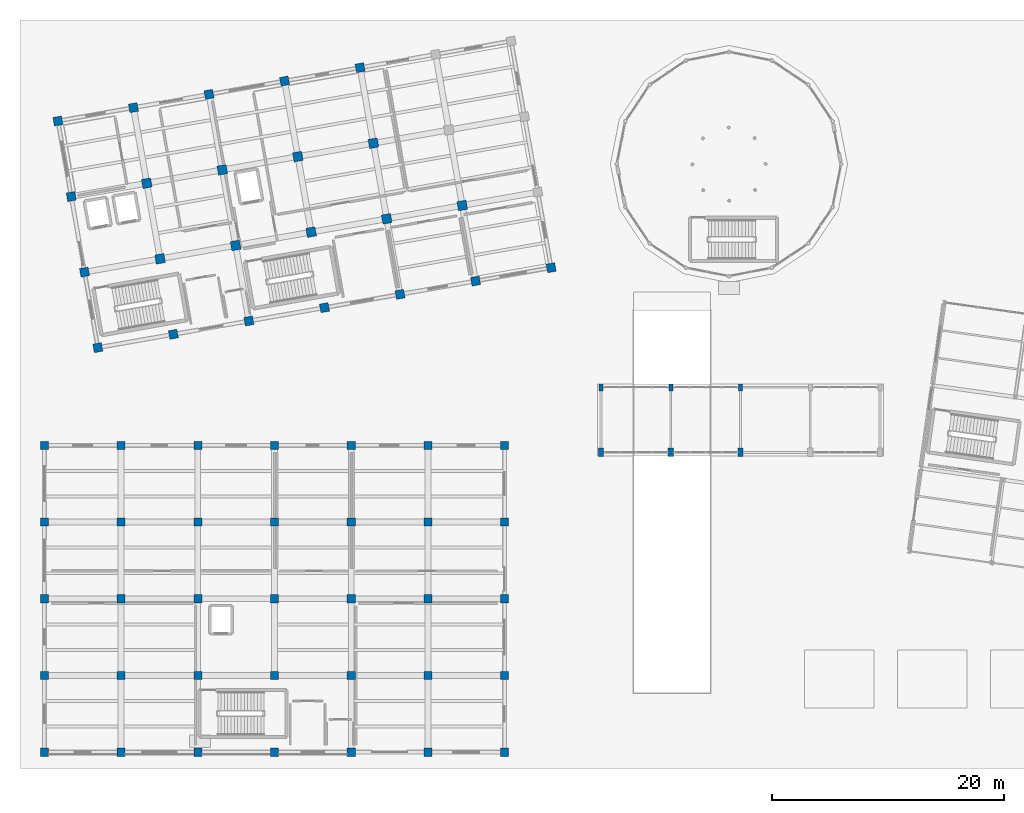
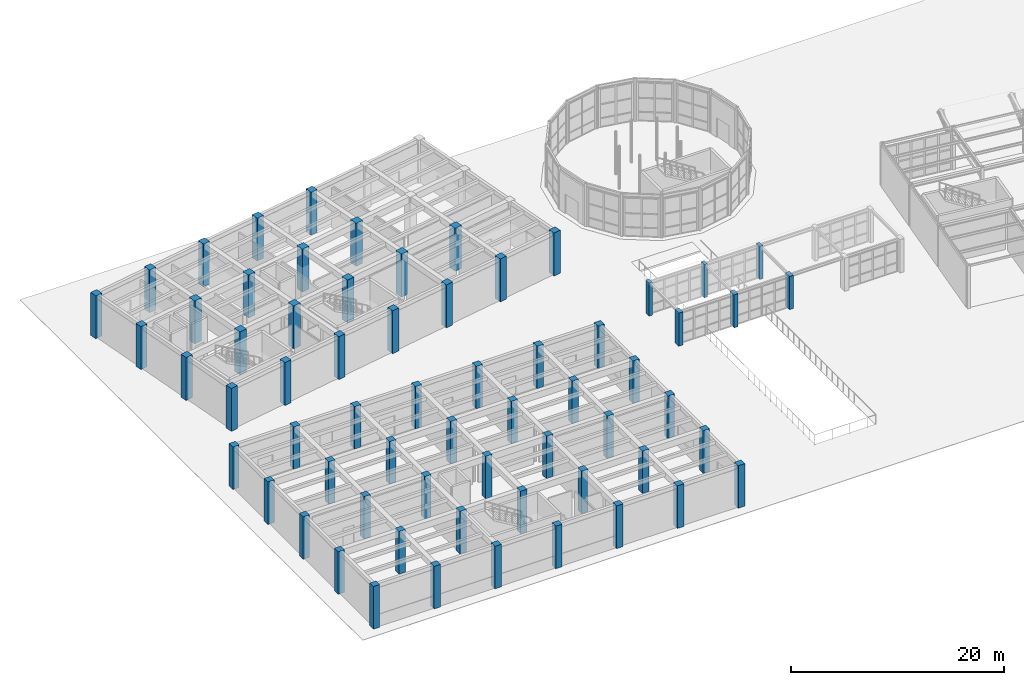
# One storey, part 1 of 57: 64 columns.
"""IFC4 building model written with IfcOpenShell, lengths in metres."""

from ifc_helpers import new_model, si_unit, direction, frame, origin, origin_2d, place, context, subcontext, project, spatial, rectangle, extrude, material, material_profile, profile_set, type_object, element, save


model = new_model("IFC4")

# Units and contexts
model_context = context("Model", 3, precision=1e-05, world=origin(), true_north=direction((0.0, 1.0)))
body_context = subcontext(model_context, "Body", "Model", "MODEL_VIEW")
ifc_project = project(units=[si_unit("LENGTHUNIT", "METRE"), si_unit("AREAUNIT", "SQUARE_METRE"), si_unit("VOLUMEUNIT", "CUBIC_METRE"), si_unit("PLANEANGLEUNIT", "RADIAN"), si_unit("MASSUNIT", "GRAM", prefix="KILO")], contexts=[model_context])

# Site, building, storey
site_placement = place(None, origin())
site = spatial("IfcSite", under=ifc_project, at=site_placement, CompositionType="ELEMENT")
building_placement = place(site_placement, origin())
building = spatial("IfcBuilding", under=site, at=building_placement, Name="Kharisveld Research Institute", CompositionType="ELEMENT")
storey_placement = place(building_placement, origin())
storey = spatial("IfcBuildingStorey", under=building, at=storey_placement, Name="L00", CompositionType="ELEMENT", Elevation=0.0)

# Columns
ifc_material_1 = material(Name="Concrete C40/50", Category="concrete")
ifc_material_profile_1 = material_profile(ifc_material_1, rectangle(XDim=0.699951171875, YDim=0.699951171875, at=origin_2d()))
ifc_profile_set_1 = profile_set([ifc_material_profile_1], Name="Concrete C40/50")
column_type_1 = type_object("IfcColumnType", Name="COL_RC_700", PredefinedType="COLUMN", material=ifc_profile_set_1)
for number, where, z_axis, x_axis, name in (
    (1, (0.60009765625, 0.199951171875, 0.0), (0.0, 0.0, 1.0), (1.0, 0.0, 0.0), "COL:V3:L00:U0V0"),
    (2, (0.60009765625, 6.800048828125, 0.0), (0.0, 0.0, 1.0), (1.0, 0.0, 0.0), "COL:V3:L00:U0V1"),
    (3, (0.60009765625, 13.39990234375, 0.0), (0.0, 0.0, 1.0), (1.0, 0.0, 0.0), "COL:V3:L00:U0V2"),
    (4, (0.60009765625, 20.0, 0.0), (0.0, 0.0, 1.0), (1.0, 0.0, 0.0), "COL:V3:L00:U0V3"),
    (5, (0.60009765625, 26.60009765625, 0.0), (0.0, 0.0, 1.0), (1.0, 0.0, 0.0), "COL:V3:L00:U0V4"),
    (6, (7.199951171875, 0.199951171875, 0.0), (0.0, 0.0, 1.0), (1.0, 0.0, 0.0), "COL:V3:L00:U1V0"),
    (7, (7.199951171875, 6.800048828125, 0.0), (0.0, 0.0, 1.0), (1.0, 0.0, 0.0), "COL:V3:L00:U1V1"),
    (8, (7.199951171875, 13.39990234375, 0.0), (0.0, 0.0, 1.0), (1.0, 0.0, 0.0), "COL:V3:L00:U1V2"),
    (9, (7.199951171875, 20.0, 0.0), (0.0, 0.0, 1.0), (1.0, 0.0, 0.0), "COL:V3:L00:U1V3"),
    (10, (7.199951171875, 26.60009765625, 0.0), (0.0, 0.0, 1.0), (1.0, 0.0, 0.0), "COL:V3:L00:U1V4"),
    (11, (13.800048828125, 0.199951171875, 0.0), (0.0, 0.0, 1.0), (1.0, 0.0, 0.0), "COL:V3:L00:U2V0"),
    (12, (13.800048828125, 6.800048828125, 0.0), (0.0, 0.0, 1.0), (1.0, 0.0, 0.0), "COL:V3:L00:U2V1"),
    (13, (13.800048828125, 13.39990234375, 0.0), (0.0, 0.0, 1.0), (1.0, 0.0, 0.0), "COL:V3:L00:U2V2"),
    (14, (13.800048828125, 20.0, 0.0), (0.0, 0.0, 1.0), (1.0, 0.0, 0.0), "COL:V3:L00:U2V3"),
    (15, (13.800048828125, 26.60009765625, 0.0), (0.0, 0.0, 1.0), (1.0, 0.0, 0.0), "COL:V3:L00:U2V4"),
    (16, (20.39990234375, 0.199951171875, 0.0), (0.0, 0.0, 1.0), (1.0, 0.0, 0.0), "COL:V3:L00:U3V0"),
    (17, (20.39990234375, 6.800048828125, 0.0), (0.0, 0.0, 1.0), (1.0, 0.0, 0.0), "COL:V3:L00:U3V1"),
    (18, (20.39990234375, 13.39990234375, 0.0), (0.0, 0.0, 1.0), (1.0, 0.0, 0.0), "COL:V3:L00:U3V2"),
    (19, (20.39990234375, 20.0, 0.0), (0.0, 0.0, 1.0), (1.0, 0.0, 0.0), "COL:V3:L00:U3V3"),
    (20, (20.39990234375, 26.60009765625, 0.0), (0.0, 0.0, 1.0), (1.0, 0.0, 0.0), "COL:V3:L00:U3V4"),
    (21, (27.0, 0.199951171875, 0.0), (0.0, 0.0, 1.0), (1.0, 0.0, 0.0), "COL:V3:L00:U4V0"),
    (22, (27.0, 6.800048828125, 0.0), (0.0, 0.0, 1.0), (1.0, 0.0, 0.0), "COL:V3:L00:U4V1"),
    (23, (27.0, 13.39990234375, 0.0), (0.0, 0.0, 1.0), (1.0, 0.0, 0.0), "COL:V3:L00:U4V2"),
    (24, (27.0, 20.0, 0.0), (0.0, 0.0, 1.0), (1.0, 0.0, 0.0), "COL:V3:L00:U4V3"),
    (25, (27.0, 26.60009765625, 0.0), (0.0, 0.0, 1.0), (1.0, 0.0, 0.0), "COL:V3:L00:U4V4"),
    (26, (33.60009765625, 0.199951171875, 0.0), (0.0, 0.0, 1.0), (1.0, 0.0, 0.0), "COL:V3:L00:U5V0"),
    (27, (33.60009765625, 6.800048828125, 0.0), (0.0, 0.0, 1.0), (1.0, 0.0, 0.0), "COL:V3:L00:U5V1"),
    (28, (33.60009765625, 13.39990234375, 0.0), (0.0, 0.0, 1.0), (1.0, 0.0, 0.0), "COL:V3:L00:U5V2"),
    (29, (33.60009765625, 20.0, 0.0), (0.0, 0.0, 1.0), (1.0, 0.0, 0.0), "COL:V3:L00:U5V3"),
    (30, (33.60009765625, 26.60009765625, 0.0), (0.0, 0.0, 1.0), (1.0, 0.0, 0.0), "COL:V3:L00:U5V4"),
    (31, (40.199951171875, 0.199951171875, 0.0), (0.0, 0.0, 1.0), (1.0, 0.0, 0.0), "COL:V3:L00:U6V0"),
    (32, (40.199951171875, 6.800048828125, 0.0), (0.0, 0.0, 1.0), (1.0, 0.0, 0.0), "COL:V3:L00:U6V1"),
    (33, (40.199951171875, 13.39990234375, 0.0), (0.0, 0.0, 1.0), (1.0, 0.0, 0.0), "COL:V3:L00:U6V2"),
    (34, (40.199951171875, 20.0, 0.0), (0.0, 0.0, 1.0), (1.0, 0.0, 0.0), "COL:V3:L00:U6V3"),
    (35, (40.199951171875, 26.60009765625, 0.0), (0.0, 0.0, 1.0), (1.0, 0.0, 0.0), "COL:V3:L00:U6V4"),
):
    element("IfcColumn", number, at=place(storey_placement, frame(where, z_axis=z_axis, x_axis=x_axis)), inside=storey, type_object=column_type_1, Name=name, PredefinedType="COLUMN", context=body_context, shape_type="SweptSolid", body=[
        extrude(rectangle(XDim=0.699951171875, YDim=0.699951171875, at=origin_2d()), origin(), (0.0, 0.0, 1.0), 4.8798828125),
    ])
ifc_material_2 = material(Name="Concrete C50/60", Category="concrete")
ifc_material_profile_2 = material_profile(ifc_material_2, rectangle(XDim=0.75, YDim=0.75, at=origin_2d()))
ifc_profile_set_2 = profile_set([ifc_material_profile_2], Name="Concrete C50/60")
column_type_2 = type_object("IfcColumnType", Name="COL_RC_750", PredefinedType="COLUMN", material=ifc_profile_set_2)
for number, where, z_axis, x_axis, name in (
    (36, (5.199951171875, 35.010009765625, 0.0), (0.0, 0.0, 1.0), (0.984807753012, 0.173648177667, 0.0), "COL:V1:L00:U0V0"),
    (37, (4.053955078125, 41.509765625, 0.0), (0.0, 0.0, 1.0), (0.984807753012, 0.173648177667, 0.0), "COL:V1:L00:U0V1"),
    (38, (2.907958984375, 48.009521484375, 0.0), (0.0, 0.0, 1.0), (0.984807753012, 0.173648177667, 0.0), "COL:V1:L00:U0V2"),
    (39, (1.76171875, 54.50927734375, 0.0), (0.0, 0.0, 1.0), (0.984807753012, 0.173648177667, 0.0), "COL:V1:L00:U0V3"),
    (40, (11.69970703125, 36.156005859375, 0.0), (0.0, 0.0, 1.0), (0.984807753012, 0.173648177667, 0.0), "COL:V1:L00:U1V0"),
    (41, (8.261474609375, 55.6552734375, 0.0), (0.0, 0.0, 1.0), (0.984807753012, 0.173648177667, 0.0), "COL:V1:L00:U1V3"),
    (42, (18.199462890625, 37.30224609375, 0.0), (0.0, 0.0, 1.0), (0.984807753012, 0.173648177667, 0.0), "COL:V1:L00:U2V0"),
    (43, (14.76123046875, 56.80126953125, 0.0), (0.0, 0.0, 1.0), (0.984807753012, 0.173648177667, 0.0), "COL:V1:L00:U2V3"),
    (44, (24.69921875, 38.4482421875, 0.0), (0.0, 0.0, 1.0), (0.984807753012, 0.173648177667, 0.0), "COL:V1:L00:U3V0"),
    (45, (21.260986328125, 57.947509765625, 0.0), (0.0, 0.0, 1.0), (0.984807753012, 0.173648177667, 0.0), "COL:V1:L00:U3V3"),
    (46, (31.198974609375, 39.59423828125, 0.0), (0.0, 0.0, 1.0), (0.984807753012, 0.173648177667, 0.0), "COL:V1:L00:U4V0"),
    (47, (27.7607421875, 59.093505859375, 0.0), (0.0, 0.0, 1.0), (0.984807753012, 0.173648177667, 0.0), "COL:V1:L00:U4V3"),
    (48, (37.69873046875, 40.740478515625, 0.0), (0.0, 0.0, 1.0), (0.984807753012, 0.173648177667, 0.0), "COL:V1:L00:U5V0"),
    (49, (44.198486328125, 41.886474609375, 0.0), (0.0, 0.0, 1.0), (0.984807753012, 0.173648177667, 0.0), "COL:V1:L00:U6V0"),
):
    element("IfcColumn", number, at=place(storey_placement, frame(where, z_axis=z_axis, x_axis=x_axis)), inside=storey, type_object=column_type_2, Name=name, PredefinedType="COLUMN", context=body_context, shape_type="SweptSolid", body=[
        extrude(rectangle(XDim=0.75, YDim=0.75, at=origin_2d()), origin(), (0.0, 0.0, 1.0), 4.919921875),
    ])
ifc_material_3 = material(Name="Concrete C50/60", Category="concrete")
ifc_material_profile_3 = material_profile(ifc_material_3, rectangle(XDim=0.800048828125, YDim=0.800048828125, at=origin_2d()))
ifc_profile_set_3 = profile_set([ifc_material_profile_3], Name="Concrete C50/60")
column_type_3 = type_object("IfcColumnType", Name="COL_RC_800", PredefinedType="COLUMN", material=ifc_profile_set_3)
for number, where, z_axis, x_axis, name in (
    (50, (10.5537109375, 42.65576171875, 0.0), (0.0, 0.0, 1.0), (0.984807753012, 0.173648177667, 0.0), "COL:V1:L00:U1V1"),
    (51, (9.407470703125, 49.155517578125, 0.0), (0.0, 0.0, 1.0), (0.984807753012, 0.173648177667, 0.0), "COL:V1:L00:U1V2"),
    (52, (17.053466796875, 43.802001953125, 0.0), (0.0, 0.0, 1.0), (0.984807753012, 0.173648177667, 0.0), "COL:V1:L00:U2V1"),
    (53, (15.9072265625, 50.301513671875, 0.0), (0.0, 0.0, 1.0), (0.984807753012, 0.173648177667, 0.0), "COL:V1:L00:U2V2"),
    (54, (23.55322265625, 44.947998046875, 0.0), (0.0, 0.0, 1.0), (0.984807753012, 0.173648177667, 0.0), "COL:V1:L00:U3V1"),
    (55, (22.406982421875, 51.44775390625, 0.0), (0.0, 0.0, 1.0), (0.984807753012, 0.173648177667, 0.0), "COL:V1:L00:U3V2"),
    (56, (30.052734375, 46.093994140625, 0.0), (0.0, 0.0, 1.0), (0.984807753012, 0.173648177667, 0.0), "COL:V1:L00:U4V1"),
    (57, (28.90673828125, 52.59375, 0.0), (0.0, 0.0, 1.0), (0.984807753012, 0.173648177667, 0.0), "COL:V1:L00:U4V2"),
    (58, (36.552490234375, 47.240234375, 0.0), (0.0, 0.0, 1.0), (0.984807753012, 0.173648177667, 0.0), "COL:V1:L00:U5V1"),
):
    element("IfcColumn", number, at=place(storey_placement, frame(where, z_axis=z_axis, x_axis=x_axis)), inside=storey, type_object=column_type_3, Name=name, PredefinedType="COLUMN", context=body_context, shape_type="SweptSolid", body=[
        extrude(rectangle(XDim=0.800048828125, YDim=0.800048828125, at=origin_2d()), origin(), (0.0, 0.0, 1.0), 4.919921875),
    ])
ifc_material_4 = material(Name="Concrete C40/50", Category="concrete")
ifc_material_profile_4 = material_profile(ifc_material_4, rectangle(XDim=0.35009765625, YDim=0.60009765625, at=origin_2d()))
ifc_profile_set_4 = profile_set([ifc_material_profile_4], Name="Concrete C40/50")
column_type_4 = type_object("IfcColumnType", Name="PIL_RC_350x600", PredefinedType="PILASTER", material=ifc_profile_set_4)
for number, where, z_axis, x_axis, name in (
    (59, (48.5, 31.60009765625, 0.0), (0.0, 0.0, 1.0), (1.0, 0.0, 0.0), "PIL:ARC:L00:1_2"),
    (60, (54.5, 31.60009765625, 0.0), (0.0, 0.0, 1.0), (1.0, 0.0, 0.0), "PIL:ARC:L00:2_2"),
    (61, (60.5, 31.60009765625, 0.0), (0.0, 0.0, 1.0), (1.0, 0.0, 0.0), "PIL:ARC:L00:3_2"),
):
    element("IfcColumn", number, at=place(storey_placement, frame(where, z_axis=z_axis, x_axis=x_axis)), inside=storey, type_object=column_type_4, Name=name, PredefinedType="PILASTER", context=body_context, shape_type="SweptSolid", body=[
        extrude(rectangle(XDim=0.35009765625, YDim=0.60009765625, at=origin_2d()), origin(), (0.0, 0.0, 1.0), 3.800048828125),
    ])
ifc_material_5 = material(Name="Concrete C40/50", Category="concrete")
ifc_material_profile_5 = material_profile(ifc_material_5, rectangle(XDim=0.449951171875, YDim=0.75, at=origin_2d()))
ifc_profile_set_5 = profile_set([ifc_material_profile_5], Name="Concrete C40/50")
column_type_5 = type_object("IfcColumnType", Name="PIL_RC_450x750", PredefinedType="PILASTER", material=ifc_profile_set_5)
for number, where, z_axis, x_axis, name in (
    (62, (48.5, 26.0, 0.0), (0.0, 0.0, 1.0), (1.0, 0.0, 0.0), "PIL:ARC:L00:1_1"),
    (63, (54.5, 26.0, 0.0), (0.0, 0.0, 1.0), (1.0, 0.0, 0.0), "PIL:ARC:L00:2_1"),
    (64, (60.5, 26.0, 0.0), (0.0, 0.0, 1.0), (1.0, 0.0, 0.0), "PIL:ARC:L00:3_1"),
):
    element("IfcColumn", number, at=place(storey_placement, frame(where, z_axis=z_axis, x_axis=x_axis)), inside=storey, type_object=column_type_5, Name=name, PredefinedType="PILASTER", context=body_context, shape_type="SweptSolid", body=[
        extrude(rectangle(XDim=0.449951171875, YDim=0.75, at=origin_2d()), origin(), (0.0, 0.0, 1.0), 3.800048828125),
    ])

save(model, "model.ifc")
